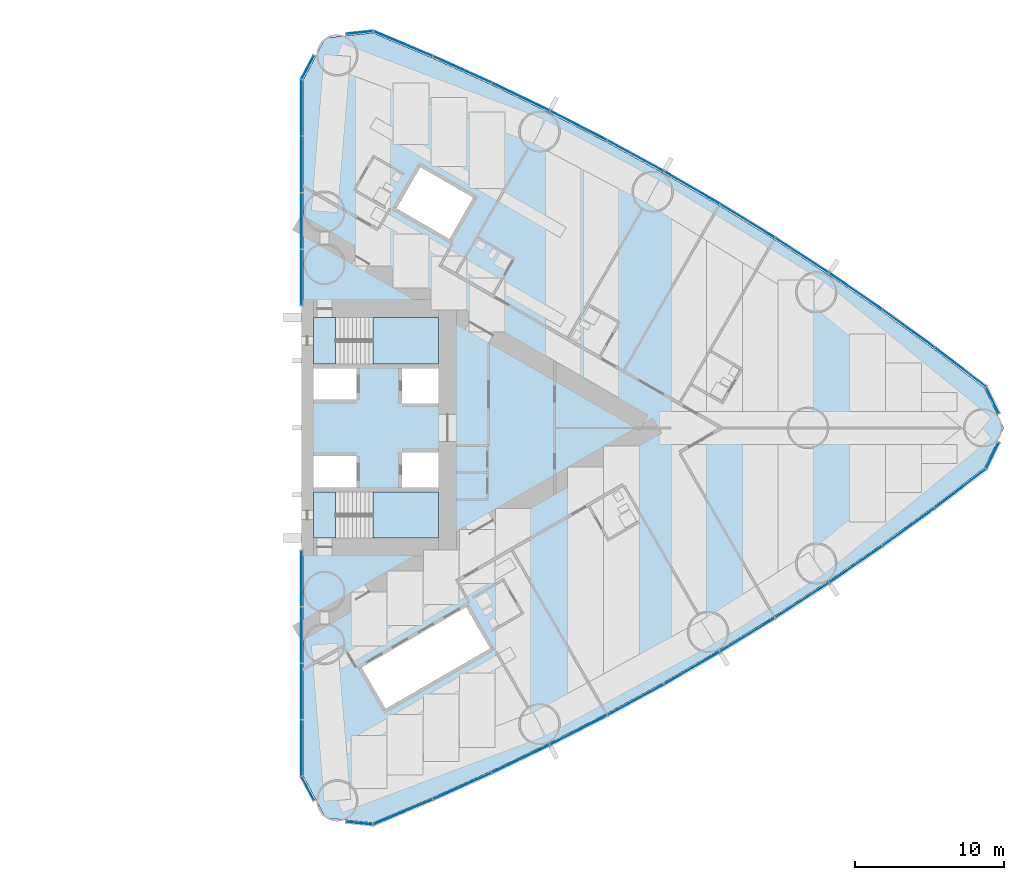
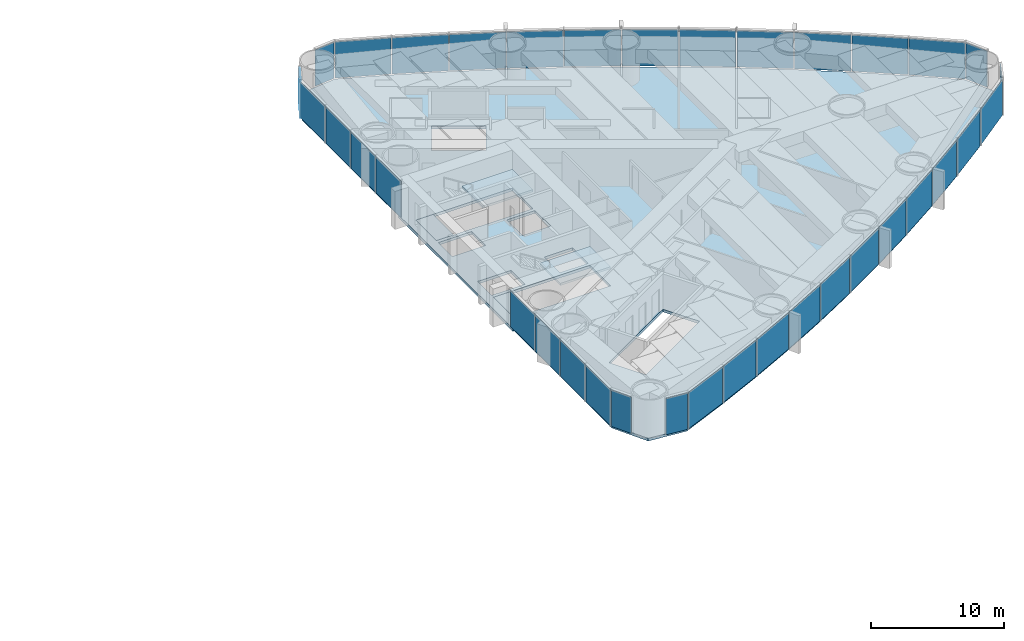
# One storey, part 10 of 19: 36 plates, 5 slabs, 6 elements without a shape of their own.
"""IFC4 building model written with IfcOpenShell, lengths in metres."""

from ifc_helpers import new_model, si_unit, direction, frame, origin, origin_2d, place, context, subcontext, project, spatial, polyline, rectangle, outline, extrude, material, layer, layer_set, type_object, element, aggregate, save


model = new_model("IFC4")

# Units and contexts
model_context = context("Model", 3, precision=1e-05, world=origin(), true_north=direction((0.0, 1.0)))
body_context = subcontext(model_context, "Body", "Model", "MODEL_VIEW")
ifc_project = project(units=[si_unit("LENGTHUNIT", "METRE"), si_unit("AREAUNIT", "SQUARE_METRE"), si_unit("VOLUMEUNIT", "CUBIC_METRE"), si_unit("PLANEANGLEUNIT", "RADIAN"), si_unit("MASSUNIT", "GRAM", prefix="KILO")], contexts=[model_context])

# Site, building, storey
site_placement = place(None, origin())
site = spatial("IfcSite", under=ifc_project, at=site_placement, CompositionType="ELEMENT")
building_placement = place(site_placement, origin())
building = spatial("IfcBuilding", under=site, at=building_placement, Name="Lancet Gate Hotel", CompositionType="ELEMENT")
storey_placement = place(building_placement, frame((0.0, 0.0, 70.5)))
storey = spatial("IfcBuildingStorey", under=building, at=storey_placement, Name="L18", CompositionType="ELEMENT", Elevation=70.5)

# Slab
ifc_material_1 = material(Name="Concrete C50/60", Category="concrete")
ifc_layer_1 = layer(ifc_material_1, 0.25)
ifc_layer_set_1 = layer_set([ifc_layer_1], Name="Floor slab 250")
slab_type_1 = type_object("IfcSlabType", Name="Floor slab 250", PredefinedType="FLOOR", material=ifc_layer_set_1)
slab_1_placement = place(storey_placement, frame((0.0, 0.0, -0.25)))
element("IfcSlab", 1, at=slab_1_placement, inside=storey, type_object=slab_type_1, Name="T2 L18 floor slab", PredefinedType="FLOOR", context=body_context, shape_type="SweptSolid", body=[
    extrude(outline(polyline([(27.5, -8.60009765625), (27.6201171875, -8.60009765625), (27.6201171875, -23.35498046875), (29.12158203125, -26.175537109375), (32.299072265625, -26.5048828125), (36.26708984375, -24.833740234375), (40.2177734375, -23.050048828125), (44.121826171875, -21.16650390625), (47.9765625, -19.18408203125), (51.77978515625, -17.104248046875), (55.528564453125, -14.92822265625), (59.220947265625, -12.657470703125), (62.854248046875, -10.29345703125), (66.42626953125, -7.837890625), (69.934814453125, -5.292236328125), (73.355712890625, -2.67431640625), (74.65576171875, 0.0), (73.355712890625, 2.67431640625), (69.934814453125, 5.292236328125), (66.42626953125, 7.837890625), (62.854248046875, 10.29345703125), (59.220947265625, 12.657470703125), (55.528564453125, 14.92822265625), (51.77978515625, 17.104248046875), (47.9765625, 19.18408203125), (44.121826171875, 21.16650390625), (40.2177734375, 23.050048828125), (36.26708984375, 24.833740234375), (32.299072265625, 26.5048828125), (29.12158203125, 26.175537109375), (27.6201171875, 23.35498046875), (27.6201171875, 8.60009765625), (27.5, 8.60009765625), (27.5, 8.199951171875), (27.5, -8.199951171875), (27.5, -8.60009765625)]), holes=[polyline([(36.699951171875, -7.39990234375), (36.699951171875, -4.300048828125), (28.300048828125, -4.300048828125), (28.300048828125, -7.39990234375), (36.699951171875, -7.39990234375)]), polyline([(28.300048828125, -4.0), (31.199951171875, -4.0), (31.199951171875, -1.89990234375), (28.300048828125, -1.89990234375), (28.300048828125, -4.0)]), polyline([(34.25, -4.0), (36.699951171875, -4.0), (36.699951171875, -1.64990234375), (34.25, -1.64990234375), (34.25, -4.0)]), polyline([(36.699951171875, 1.64990234375), (36.699951171875, 4.0), (34.25, 4.0), (34.25, 1.64990234375), (36.699951171875, 1.64990234375)]), polyline([(28.300048828125, 1.89990234375), (31.199951171875, 1.89990234375), (31.199951171875, 4.0), (28.300048828125, 4.0), (28.300048828125, 1.89990234375)]), polyline([(28.300048828125, 4.300048828125), (36.699951171875, 4.300048828125), (36.699951171875, 7.39990234375), (28.300048828125, 7.39990234375), (28.300048828125, 4.300048828125)]), polyline([(31.549072265625, -16.0810546875), (33.14892578125, -18.85205078125), (40.1640625, -14.802001953125), (38.56396484375, -12.031005859375), (31.549072265625, -16.0810546875)]), polyline([(33.887939453125, 14.73095703125), (37.43798828125, 12.680908203125), (39.0380859375, 15.451904296875), (35.488037109375, 17.501953125), (33.887939453125, 14.73095703125)])]), origin(), (0.0, 0.0, 1.0), 0.25),
])

# Stair, slabs
ifc_material_2 = material(Name="Exit stair 20 risers 1500")
stair_type = type_object("IfcStairType", Name="Exit stair 20 risers 1500", PredefinedType="HALF_TURN_STAIR", material=ifc_material_2)
stair_1_placement = place(storey_placement, origin())
stair_1 = element("IfcStair", 2, at=stair_1_placement, inside=storey, type_object=stair_type, Name="T2 stair 1 L18", PredefinedType="HALF_TURN_STAIR")
ifc_material_3 = material(Name="Concrete C40/50", Category="concrete")
ifc_layer_2 = layer(ifc_material_3, 0.199951171875)
ifc_layer_set_2 = layer_set([ifc_layer_2], Name="Stair landing 200")
slab_type_2 = type_object("IfcSlabType", Name="Stair landing 200", PredefinedType="LANDING", material=ifc_layer_set_2)
slab_2_placement = place(storey_placement, frame((0.0, 0.0, -0.199951171875)))
slab_2 = element("IfcSlab", 3, at=slab_2_placement, type_object=slab_type_2, Name="ST3 landing 1", PredefinedType="LANDING", context=body_context, shape_type="SweptSolid", body=[
    extrude(outline(polyline([(28.300048828125, -7.39990234375), (29.800048828125, -7.39990234375), (29.800048828125, -4.300048828125), (28.300048828125, -4.300048828125), (28.300048828125, -7.39990234375)])), origin(), (0.0, 0.0, 1.0), 0.199951171875),
])
slab_3_placement = place(storey_placement, frame((0.0, 0.0, 1.550048828125)))
slab_3 = element("IfcSlab", 4, at=slab_3_placement, type_object=slab_type_2, Name="ST3 landing 2", PredefinedType="LANDING", context=body_context, shape_type="SweptSolid", body=[
    extrude(outline(polyline([(32.320068359375, -7.39990234375), (36.699951171875, -7.39990234375), (36.699951171875, -4.300048828125), (32.320068359375, -4.300048828125), (32.320068359375, -7.39990234375)])), origin(), (0.0, 0.0, 1.0), 0.199951171875),
])
aggregate(stair_1, [slab_2, slab_3])

stair_2_placement = place(storey_placement, origin())
stair_2 = element("IfcStair", 5, at=stair_2_placement, inside=storey, type_object=stair_type, Name="T2 stair 2 L18", PredefinedType="HALF_TURN_STAIR")
slab_4_placement = place(storey_placement, frame((0.0, 0.0, -0.199951171875)))
slab_4 = element("IfcSlab", 6, at=slab_4_placement, type_object=slab_type_2, Name="ST4 landing 1", PredefinedType="LANDING", context=body_context, shape_type="SweptSolid", body=[
    extrude(outline(polyline([(28.300048828125, 4.300048828125), (29.800048828125, 4.300048828125), (29.800048828125, 7.39990234375), (28.300048828125, 7.39990234375), (28.300048828125, 4.300048828125)])), origin(), (0.0, 0.0, 1.0), 0.199951171875),
])
slab_5_placement = place(storey_placement, frame((0.0, 0.0, 1.550048828125)))
slab_5 = element("IfcSlab", 7, at=slab_5_placement, type_object=slab_type_2, Name="ST4 landing 2", PredefinedType="LANDING", context=body_context, shape_type="SweptSolid", body=[
    extrude(outline(polyline([(32.320068359375, 4.300048828125), (36.699951171875, 4.300048828125), (36.699951171875, 7.39990234375), (32.320068359375, 7.39990234375), (32.320068359375, 4.300048828125)])), origin(), (0.0, 0.0, 1.0), 0.199951171875),
])
aggregate(stair_2, [slab_4, slab_5])

# Curtain wall, plates
ifc_material_4 = material(Name="Aluminium curtain wall", Category="aluminium")
curtain_wall_type = type_object("IfcCurtainWallType", Name="Tower unitised curtain wall", PredefinedType="USERDEFINED", material=ifc_material_4)
curtain_wall_1_placement = place(storey_placement, origin())
curtain_wall_1 = element("IfcCurtainWall", 8, at=curtain_wall_1_placement, inside=storey, type_object=curtain_wall_type, Name="T2 L18 curtain wall 1", ObjectType="UNITISED CURTAIN WALL", PredefinedType="USERDEFINED")
ifc_material_5 = material(Name="Glass double glazed unit 8-16-6", Category="glass")
ifc_layer_3 = layer(ifc_material_5, 0.030029296875)
ifc_layer_set_3 = layer_set([ifc_layer_3], Name="Vision panel double glazed")
plate_type = type_object("IfcPlateType", Name="Vision panel double glazed", PredefinedType="CURTAIN_PANEL", material=ifc_layer_set_3)
plate_1_placement = place(storey_placement, frame((27.5, -10.09814453125, 0.0), z_axis=(0.0, 0.0, 1.0), x_axis=(0.0, -1.0, 0.0)))
plate_1 = element("IfcPlate", 9, at=plate_1_placement, type_object=plate_type, Name="T2 L18 curtain wall 1 panel 1", PredefinedType="CURTAIN_PANEL", context=body_context, shape_type="SweptSolid", body=[
    extrude(rectangle(XDim=3.731201171875, YDim=0.030029296875, at=origin_2d()), origin(), (0.0, 0.0, 1.0), 3.35009765625),
])
plate_2_placement = place(storey_placement, frame((27.5, -13.894287109375, 0.0), z_axis=(0.0, 0.0, 1.0), x_axis=(0.0, -1.0, 0.0)))
plate_2 = element("IfcPlate", 10, at=plate_2_placement, type_object=plate_type, Name="T2 L18 curtain wall 1 panel 2", PredefinedType="CURTAIN_PANEL", context=body_context, shape_type="SweptSolid", body=[
    extrude(rectangle(XDim=3.731201171875, YDim=0.030029296875, at=origin_2d()), origin(), (0.0, 0.0, 1.0), 3.35009765625),
])
plate_3_placement = place(storey_placement, frame((27.5, -17.6904296875, 0.0), z_axis=(0.0, 0.0, 1.0), x_axis=(0.0, -1.0, 0.0)))
plate_3 = element("IfcPlate", 11, at=plate_3_placement, type_object=plate_type, Name="T2 L18 curtain wall 1 panel 3", PredefinedType="CURTAIN_PANEL", context=body_context, shape_type="SweptSolid", body=[
    extrude(rectangle(XDim=3.731201171875, YDim=0.030029296875, at=origin_2d()), origin(), (0.0, 0.0, 1.0), 3.35009765625),
])
plate_4_placement = place(storey_placement, frame((27.5, -21.48681640625, 0.0), z_axis=(0.0, 0.0, 1.0), x_axis=(0.0, -1.0, 0.0)))
plate_4 = element("IfcPlate", 12, at=plate_4_placement, type_object=plate_type, Name="T2 L18 curtain wall 1 panel 4", PredefinedType="CURTAIN_PANEL", context=body_context, shape_type="SweptSolid", body=[
    extrude(rectangle(XDim=3.731201171875, YDim=0.030029296875, at=origin_2d()), origin(), (0.0, 0.0, 1.0), 3.35009765625),
])
plate_5_placement = place(storey_placement, frame((27.933349609375, -24.19873046875, 0.0), z_axis=(0.0, 0.0, 1.0), x_axis=(0.469897827284, -0.882720811987, 0.0)))
plate_5 = element("IfcPlate", 13, at=plate_5_placement, type_object=plate_type, Name="T2 L18 curtain wall 1 panel 5", PredefinedType="CURTAIN_PANEL", context=body_context, shape_type="SweptSolid", body=[
    extrude(rectangle(XDim=1.779052734375, YDim=0.030029296875, at=origin_2d()), origin(), (0.0, 0.0, 1.0), 3.35009765625),
])
aggregate(curtain_wall_1, [plate_1, plate_2, plate_3, plate_4, plate_5])

curtain_wall_2_placement = place(storey_placement, origin())
curtain_wall_2 = element("IfcCurtainWall", 14, at=curtain_wall_2_placement, inside=storey, type_object=curtain_wall_type, Name="T2 L18 curtain wall 2", ObjectType="UNITISED CURTAIN WALL", PredefinedType="USERDEFINED")
plate_6_placement = place(storey_placement, frame((31.400634765625, -26.532470703125, 0.0), z_axis=(0.0, 0.0, 1.0), x_axis=(0.994672262412, -0.10308778001, 0.0)))
plate_6 = element("IfcPlate", 15, at=plate_6_placement, type_object=plate_type, Name="T2 L18 curtain wall 2 panel 1", PredefinedType="CURTAIN_PANEL", context=body_context, shape_type="SweptSolid", body=[
    extrude(rectangle(XDim=1.7783203125, YDim=0.030029296875, at=origin_2d()), origin(), (0.0, 0.0, 1.0), 3.35009765625),
])
plate_7_placement = place(storey_placement, frame((34.316162109375, -25.78564453125, 0.0), z_axis=(0.0, 0.0, 1.0), x_axis=(0.92159330598, 0.38815689917, 0.0)))
plate_7 = element("IfcPlate", 16, at=plate_7_placement, type_object=plate_type, Name="T2 L18 curtain wall 2 panel 2", PredefinedType="CURTAIN_PANEL", context=body_context, shape_type="SweptSolid", body=[
    extrude(rectangle(XDim=4.272705078125, YDim=0.030029296875, at=origin_2d()), origin(), (0.0, 0.0, 1.0), 3.35009765625),
])
plate_8_placement = place(storey_placement, frame((38.291748046875, -24.05126953125, 0.0), z_axis=(0.0, 0.0, 1.0), x_axis=(0.911415640556, 0.41148697446, 0.0)))
plate_8 = element("IfcPlate", 17, at=plate_8_placement, type_object=plate_type, Name="T2 L18 curtain wall 2 panel 3", PredefinedType="CURTAIN_PANEL", context=body_context, shape_type="SweptSolid", body=[
    extrude(rectangle(XDim=4.272705078125, YDim=0.030029296875, at=origin_2d()), origin(), (0.0, 0.0, 1.0), 3.35009765625),
])
plate_9_placement = place(storey_placement, frame((42.221923828125, -22.21630859375, 0.0), z_axis=(0.0, 0.0, 1.0), x_axis=(0.90064748964, 0.434550456686, 0.0)))
plate_9 = element("IfcPlate", 18, at=plate_9_placement, type_object=plate_type, Name="T2 L18 curtain wall 2 panel 4", PredefinedType="CURTAIN_PANEL", context=body_context, shape_type="SweptSolid", body=[
    extrude(rectangle(XDim=4.272705078125, YDim=0.030029296875, at=origin_2d()), origin(), (0.0, 0.0, 1.0), 3.35009765625),
])
plate_10_placement = place(storey_placement, frame((46.10400390625, -20.281982421875, 0.0), z_axis=(0.0, 0.0, 1.0), x_axis=(0.889295829671, 0.457332403541, 0.0)))
plate_10 = element("IfcPlate", 19, at=plate_10_placement, type_object=plate_type, Name="T2 L18 curtain wall 2 panel 5", PredefinedType="CURTAIN_PANEL", context=body_context, shape_type="SweptSolid", body=[
    extrude(rectangle(XDim=4.272705078125, YDim=0.030029296875, at=origin_2d()), origin(), (0.0, 0.0, 1.0), 3.35009765625),
])
plate_11_placement = place(storey_placement, frame((49.935791015625, -18.249267578125, 0.0), z_axis=(0.0, 0.0, 1.0), x_axis=(0.877368015134, 0.47981805512, 0.0)))
plate_11 = element("IfcPlate", 20, at=plate_11_placement, type_object=plate_type, Name="T2 L18 curtain wall 2 panel 6", PredefinedType="CURTAIN_PANEL", context=body_context, shape_type="SweptSolid", body=[
    extrude(rectangle(XDim=4.272705078125, YDim=0.030029296875, at=origin_2d()), origin(), (0.0, 0.0, 1.0), 3.35009765625),
])
plate_12_placement = place(storey_placement, frame((53.71435546875, -16.119873046875, 0.0), z_axis=(0.0, 0.0, 1.0), x_axis=(0.864871773788, 0.501992843479, 0.0)))
plate_12 = element("IfcPlate", 21, at=plate_12_placement, type_object=plate_type, Name="T2 L18 curtain wall 2 panel 7", PredefinedType="CURTAIN_PANEL", context=body_context, shape_type="SweptSolid", body=[
    extrude(rectangle(XDim=4.272705078125, YDim=0.030029296875, at=origin_2d()), origin(), (0.0, 0.0, 1.0), 3.35009765625),
])
plate_13_placement = place(storey_placement, frame((57.437744140625, -13.89501953125, 0.0), z_axis=(0.0, 0.0, 1.0), x_axis=(0.851815201664, 0.523842402077, 0.0)))
plate_13 = element("IfcPlate", 22, at=plate_13_placement, type_object=plate_type, Name="T2 L18 curtain wall 2 panel 8", PredefinedType="CURTAIN_PANEL", context=body_context, shape_type="SweptSolid", body=[
    extrude(rectangle(XDim=4.272705078125, YDim=0.030029296875, at=origin_2d()), origin(), (0.0, 0.0, 1.0), 3.35009765625),
])
plate_14_placement = place(storey_placement, frame((61.10302734375, -11.576171875, 0.0), z_axis=(0.0, 0.0, 1.0), x_axis=(0.838206757819, 0.54535257508, 0.0)))
plate_14 = element("IfcPlate", 23, at=plate_14_placement, type_object=plate_type, Name="T2 L18 curtain wall 2 panel 9", PredefinedType="CURTAIN_PANEL", context=body_context, shape_type="SweptSolid", body=[
    extrude(rectangle(XDim=4.272705078125, YDim=0.030029296875, at=origin_2d()), origin(), (0.0, 0.0, 1.0), 3.35009765625),
])
plate_15_placement = place(storey_placement, frame((64.708251953125, -9.16455078125, 0.0), z_axis=(0.0, 0.0, 1.0), x_axis=(0.824055258853, 0.566509426538, 0.0)))
plate_15 = element("IfcPlate", 24, at=plate_15_placement, type_object=plate_type, Name="T2 L18 curtain wall 2 panel 10", PredefinedType="CURTAIN_PANEL", context=body_context, shape_type="SweptSolid", body=[
    extrude(rectangle(XDim=4.272705078125, YDim=0.030029296875, at=origin_2d()), origin(), (0.0, 0.0, 1.0), 3.35009765625),
])
plate_16_placement = place(storey_placement, frame((68.2509765625, -6.662109375, 0.0), z_axis=(0.0, 0.0, 1.0), x_axis=(0.809369873203, 0.587299249405, 0.0)))
plate_16 = element("IfcPlate", 25, at=plate_16_placement, type_object=plate_type, Name="T2 L18 curtain wall 2 panel 11", PredefinedType="CURTAIN_PANEL", context=body_context, shape_type="SweptSolid", body=[
    extrude(rectangle(XDim=4.272705078125, YDim=0.030029296875, at=origin_2d()), origin(), (0.0, 0.0, 1.0), 3.35009765625),
])
plate_17_placement = place(storey_placement, frame((71.72900390625, -4.0703125, 0.0), z_axis=(0.0, 0.0, 1.0), x_axis=(0.794160115195, 0.607708574428, 0.0)))
plate_17 = element("IfcPlate", 26, at=plate_17_placement, type_object=plate_type, Name="T2 L18 curtain wall 2 panel 12", PredefinedType="CURTAIN_PANEL", context=body_context, shape_type="SweptSolid", body=[
    extrude(rectangle(XDim=4.272705078125, YDim=0.030029296875, at=origin_2d()), origin(), (0.0, 0.0, 1.0), 3.35009765625),
])
plate_18_placement = place(storey_placement, frame((73.88671875, -1.856201171875, 0.0), z_axis=(0.0, 0.0, 1.0), x_axis=(0.437169070119, 0.899379343843, 0.0)))
plate_18 = element("IfcPlate", 27, at=plate_18_placement, type_object=plate_type, Name="T2 L18 curtain wall 2 panel 13", PredefinedType="CURTAIN_PANEL", context=body_context, shape_type="SweptSolid", body=[
    extrude(rectangle(XDim=1.92724609375, YDim=0.030029296875, at=origin_2d()), origin(), (0.0, 0.0, 1.0), 3.35009765625),
])
aggregate(curtain_wall_2, [plate_6, plate_7, plate_8, plate_9, plate_10, plate_11, plate_12, plate_13, plate_14, plate_15, plate_16, plate_17, plate_18])

curtain_wall_3_placement = place(storey_placement, origin())
curtain_wall_3 = element("IfcCurtainWall", 28, at=curtain_wall_3_placement, inside=storey, type_object=curtain_wall_type, Name="T2 L18 curtain wall 3", ObjectType="UNITISED CURTAIN WALL", PredefinedType="USERDEFINED")
plate_19_placement = place(storey_placement, frame((73.88671875, 1.856201171875, 0.0), z_axis=(0.0, 0.0, 1.0), x_axis=(-0.437169070119, 0.899379343843, 0.0)))
plate_19 = element("IfcPlate", 29, at=plate_19_placement, type_object=plate_type, Name="T2 L18 curtain wall 3 panel 1", PredefinedType="CURTAIN_PANEL", context=body_context, shape_type="SweptSolid", body=[
    extrude(rectangle(XDim=1.92724609375, YDim=0.030029296875, at=origin_2d()), origin(), (0.0, 0.0, 1.0), 3.35009765625),
])
plate_20_placement = place(storey_placement, frame((71.72900390625, 4.0703125, 0.0), z_axis=(0.0, 0.0, 1.0), x_axis=(-0.794160115195, 0.607708574428, 0.0)))
plate_20 = element("IfcPlate", 30, at=plate_20_placement, type_object=plate_type, Name="T2 L18 curtain wall 3 panel 2", PredefinedType="CURTAIN_PANEL", context=body_context, shape_type="SweptSolid", body=[
    extrude(rectangle(XDim=4.272705078125, YDim=0.030029296875, at=origin_2d()), origin(), (0.0, 0.0, 1.0), 3.35009765625),
])
plate_21_placement = place(storey_placement, frame((68.2509765625, 6.662109375, 0.0), z_axis=(0.0, 0.0, 1.0), x_axis=(-0.809369873203, 0.587299249405, 0.0)))
plate_21 = element("IfcPlate", 31, at=plate_21_placement, type_object=plate_type, Name="T2 L18 curtain wall 3 panel 3", PredefinedType="CURTAIN_PANEL", context=body_context, shape_type="SweptSolid", body=[
    extrude(rectangle(XDim=4.272705078125, YDim=0.030029296875, at=origin_2d()), origin(), (0.0, 0.0, 1.0), 3.35009765625),
])
plate_22_placement = place(storey_placement, frame((64.708251953125, 9.16455078125, 0.0), z_axis=(0.0, 0.0, 1.0), x_axis=(-0.824055258853, 0.566509426538, 0.0)))
plate_22 = element("IfcPlate", 32, at=plate_22_placement, type_object=plate_type, Name="T2 L18 curtain wall 3 panel 4", PredefinedType="CURTAIN_PANEL", context=body_context, shape_type="SweptSolid", body=[
    extrude(rectangle(XDim=4.272705078125, YDim=0.030029296875, at=origin_2d()), origin(), (0.0, 0.0, 1.0), 3.35009765625),
])
plate_23_placement = place(storey_placement, frame((61.10302734375, 11.576171875, 0.0), z_axis=(0.0, 0.0, 1.0), x_axis=(-0.838206757819, 0.54535257508, 0.0)))
plate_23 = element("IfcPlate", 33, at=plate_23_placement, type_object=plate_type, Name="T2 L18 curtain wall 3 panel 5", PredefinedType="CURTAIN_PANEL", context=body_context, shape_type="SweptSolid", body=[
    extrude(rectangle(XDim=4.272705078125, YDim=0.030029296875, at=origin_2d()), origin(), (0.0, 0.0, 1.0), 3.35009765625),
])
plate_24_placement = place(storey_placement, frame((57.437744140625, 13.89501953125, 0.0), z_axis=(0.0, 0.0, 1.0), x_axis=(-0.851815201664, 0.523842402077, 0.0)))
plate_24 = element("IfcPlate", 34, at=plate_24_placement, type_object=plate_type, Name="T2 L18 curtain wall 3 panel 6", PredefinedType="CURTAIN_PANEL", context=body_context, shape_type="SweptSolid", body=[
    extrude(rectangle(XDim=4.272705078125, YDim=0.030029296875, at=origin_2d()), origin(), (0.0, 0.0, 1.0), 3.35009765625),
])
plate_25_placement = place(storey_placement, frame((53.71435546875, 16.119873046875, 0.0), z_axis=(0.0, 0.0, 1.0), x_axis=(-0.864871773788, 0.501992843479, 0.0)))
plate_25 = element("IfcPlate", 35, at=plate_25_placement, type_object=plate_type, Name="T2 L18 curtain wall 3 panel 7", PredefinedType="CURTAIN_PANEL", context=body_context, shape_type="SweptSolid", body=[
    extrude(rectangle(XDim=4.272705078125, YDim=0.030029296875, at=origin_2d()), origin(), (0.0, 0.0, 1.0), 3.35009765625),
])
plate_26_placement = place(storey_placement, frame((49.935791015625, 18.249267578125, 0.0), z_axis=(0.0, 0.0, 1.0), x_axis=(-0.877368015134, 0.47981805512, 0.0)))
plate_26 = element("IfcPlate", 36, at=plate_26_placement, type_object=plate_type, Name="T2 L18 curtain wall 3 panel 8", PredefinedType="CURTAIN_PANEL", context=body_context, shape_type="SweptSolid", body=[
    extrude(rectangle(XDim=4.272705078125, YDim=0.030029296875, at=origin_2d()), origin(), (0.0, 0.0, 1.0), 3.35009765625),
])
plate_27_placement = place(storey_placement, frame((46.10400390625, 20.281982421875, 0.0), z_axis=(0.0, 0.0, 1.0), x_axis=(-0.889295829671, 0.457332403541, 0.0)))
plate_27 = element("IfcPlate", 37, at=plate_27_placement, type_object=plate_type, Name="T2 L18 curtain wall 3 panel 9", PredefinedType="CURTAIN_PANEL", context=body_context, shape_type="SweptSolid", body=[
    extrude(rectangle(XDim=4.272705078125, YDim=0.030029296875, at=origin_2d()), origin(), (0.0, 0.0, 1.0), 3.35009765625),
])
plate_28_placement = place(storey_placement, frame((42.221923828125, 22.21630859375, 0.0), z_axis=(0.0, 0.0, 1.0), x_axis=(-0.90064748964, 0.434550456686, 0.0)))
plate_28 = element("IfcPlate", 38, at=plate_28_placement, type_object=plate_type, Name="T2 L18 curtain wall 3 panel 10", PredefinedType="CURTAIN_PANEL", context=body_context, shape_type="SweptSolid", body=[
    extrude(rectangle(XDim=4.272705078125, YDim=0.030029296875, at=origin_2d()), origin(), (0.0, 0.0, 1.0), 3.35009765625),
])
plate_29_placement = place(storey_placement, frame((38.291748046875, 24.05126953125, 0.0), z_axis=(0.0, 0.0, 1.0), x_axis=(-0.911415640556, 0.41148697446, 0.0)))
plate_29 = element("IfcPlate", 39, at=plate_29_placement, type_object=plate_type, Name="T2 L18 curtain wall 3 panel 11", PredefinedType="CURTAIN_PANEL", context=body_context, shape_type="SweptSolid", body=[
    extrude(rectangle(XDim=4.272705078125, YDim=0.030029296875, at=origin_2d()), origin(), (0.0, 0.0, 1.0), 3.35009765625),
])
plate_30_placement = place(storey_placement, frame((34.316162109375, 25.78564453125, 0.0), z_axis=(0.0, 0.0, 1.0), x_axis=(-0.92159330598, 0.38815689917, 0.0)))
plate_30 = element("IfcPlate", 40, at=plate_30_placement, type_object=plate_type, Name="T2 L18 curtain wall 3 panel 12", PredefinedType="CURTAIN_PANEL", context=body_context, shape_type="SweptSolid", body=[
    extrude(rectangle(XDim=4.272705078125, YDim=0.030029296875, at=origin_2d()), origin(), (0.0, 0.0, 1.0), 3.35009765625),
])
plate_31_placement = place(storey_placement, frame((31.400634765625, 26.532470703125, 0.0), z_axis=(0.0, 0.0, 1.0), x_axis=(-0.994672262412, -0.10308778001, 0.0)))
plate_31 = element("IfcPlate", 41, at=plate_31_placement, type_object=plate_type, Name="T2 L18 curtain wall 3 panel 13", PredefinedType="CURTAIN_PANEL", context=body_context, shape_type="SweptSolid", body=[
    extrude(rectangle(XDim=1.7783203125, YDim=0.030029296875, at=origin_2d()), origin(), (0.0, 0.0, 1.0), 3.35009765625),
])
aggregate(curtain_wall_3, [plate_19, plate_20, plate_21, plate_22, plate_23, plate_24, plate_25, plate_26, plate_27, plate_28, plate_29, plate_30, plate_31])

curtain_wall_4_placement = place(storey_placement, origin())
curtain_wall_4 = element("IfcCurtainWall", 42, at=curtain_wall_4_placement, inside=storey, type_object=curtain_wall_type, Name="T2 L18 curtain wall 4", ObjectType="UNITISED CURTAIN WALL", PredefinedType="USERDEFINED")
plate_32_placement = place(storey_placement, frame((27.933349609375, 24.19873046875, 0.0), z_axis=(0.0, 0.0, 1.0), x_axis=(-0.469897827284, -0.882720811987, 0.0)))
plate_32 = element("IfcPlate", 43, at=plate_32_placement, type_object=plate_type, Name="T2 L18 curtain wall 4 panel 1", PredefinedType="CURTAIN_PANEL", context=body_context, shape_type="SweptSolid", body=[
    extrude(rectangle(XDim=1.779052734375, YDim=0.030029296875, at=origin_2d()), origin(), (0.0, 0.0, 1.0), 3.35009765625),
])
plate_33_placement = place(storey_placement, frame((27.5, 21.48681640625, 0.0), z_axis=(0.0, 0.0, 1.0), x_axis=(0.0, -1.0, 0.0)))
plate_33 = element("IfcPlate", 44, at=plate_33_placement, type_object=plate_type, Name="T2 L18 curtain wall 4 panel 2", PredefinedType="CURTAIN_PANEL", context=body_context, shape_type="SweptSolid", body=[
    extrude(rectangle(XDim=3.731201171875, YDim=0.030029296875, at=origin_2d()), origin(), (0.0, 0.0, 1.0), 3.35009765625),
])
plate_34_placement = place(storey_placement, frame((27.5, 17.6904296875, 0.0), z_axis=(0.0, 0.0, 1.0), x_axis=(0.0, -1.0, 0.0)))
plate_34 = element("IfcPlate", 45, at=plate_34_placement, type_object=plate_type, Name="T2 L18 curtain wall 4 panel 3", PredefinedType="CURTAIN_PANEL", context=body_context, shape_type="SweptSolid", body=[
    extrude(rectangle(XDim=3.731201171875, YDim=0.030029296875, at=origin_2d()), origin(), (0.0, 0.0, 1.0), 3.35009765625),
])
plate_35_placement = place(storey_placement, frame((27.5, 13.894287109375, 0.0), z_axis=(0.0, 0.0, 1.0), x_axis=(0.0, -1.0, 0.0)))
plate_35 = element("IfcPlate", 46, at=plate_35_placement, type_object=plate_type, Name="T2 L18 curtain wall 4 panel 4", PredefinedType="CURTAIN_PANEL", context=body_context, shape_type="SweptSolid", body=[
    extrude(rectangle(XDim=3.731201171875, YDim=0.030029296875, at=origin_2d()), origin(), (0.0, 0.0, 1.0), 3.35009765625),
])
plate_36_placement = place(storey_placement, frame((27.5, 10.09814453125, 0.0), z_axis=(0.0, 0.0, 1.0), x_axis=(0.0, -1.0, 0.0)))
plate_36 = element("IfcPlate", 47, at=plate_36_placement, type_object=plate_type, Name="T2 L18 curtain wall 4 panel 5", PredefinedType="CURTAIN_PANEL", context=body_context, shape_type="SweptSolid", body=[
    extrude(rectangle(XDim=3.731201171875, YDim=0.030029296875, at=origin_2d()), origin(), (0.0, 0.0, 1.0), 3.35009765625),
])
aggregate(curtain_wall_4, [plate_32, plate_33, plate_34, plate_35, plate_36])

save(model, "model.ifc")
